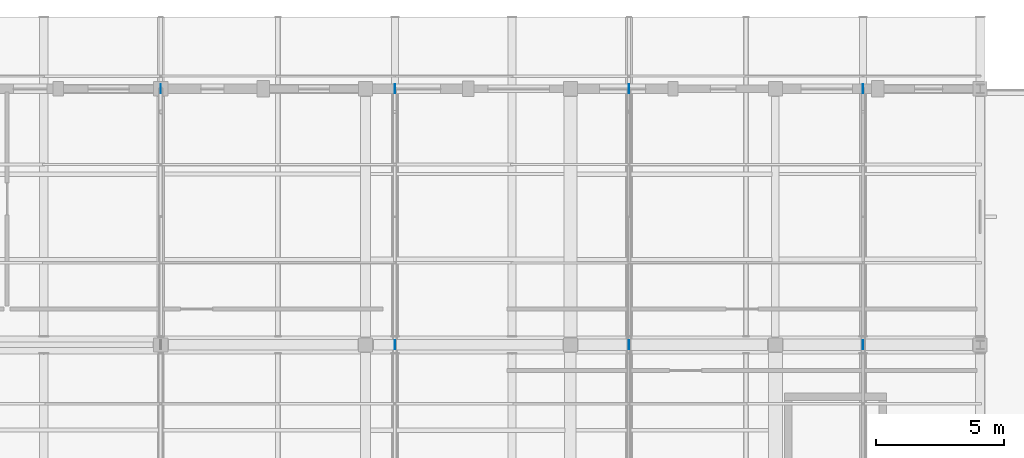
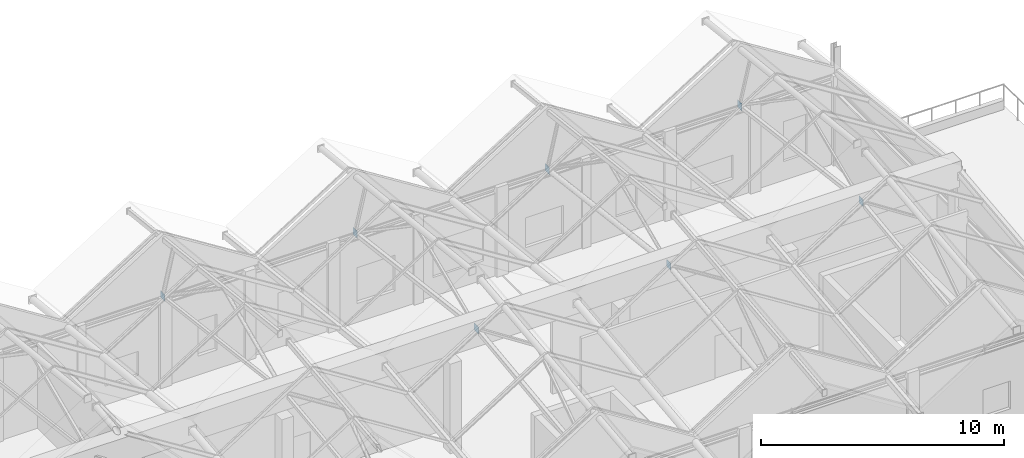
# One storey, part 135 of 183: 7 plates.
"""IFC4 building model written with IfcOpenShell, lengths in metres."""

from ifc_helpers import new_model, si_unit, direction, frame, origin, origin_2d, place, context, subcontext, project, spatial, rectangle, extrude, material, layer, layer_set, type_object, element, save


model = new_model("IFC4")

# Units and contexts
model_context = context("Model", 3, precision=1e-05, world=origin(), true_north=direction((0.0, 1.0)))
body_context = subcontext(model_context, "Body", "Model", "MODEL_VIEW")
ifc_project = project(units=[si_unit("LENGTHUNIT", "METRE"), si_unit("AREAUNIT", "SQUARE_METRE"), si_unit("VOLUMEUNIT", "CUBIC_METRE"), si_unit("PLANEANGLEUNIT", "RADIAN"), si_unit("MASSUNIT", "GRAM", prefix="KILO")], contexts=[model_context])

# Site, building, storey
site_placement = place(None, origin())
site = spatial("IfcSite", under=ifc_project, at=site_placement, CompositionType="ELEMENT")
building_placement = place(site_placement, origin())
building = spatial("IfcBuilding", under=site, at=building_placement, Name="Luwemba Playhouse", CompositionType="ELEMENT")
storey_placement = place(building_placement, frame((0.0, 0.0, 4.800048828125)))
storey = spatial("IfcBuildingStorey", under=building, at=storey_placement, Name="L01", CompositionType="ELEMENT", Elevation=4.800048828125)

# Plates
ifc_material = material(Name="Steel S355", Category="steel")
ifc_layer_1 = layer(ifc_material, 0.01611328125)
ifc_layer_set_1 = layer_set([ifc_layer_1], Name="Steel S355")
plate_type_1 = type_object("IfcPlateType", Name="PLT-GP1", PredefinedType="USERDEFINED", material=ifc_layer_set_1)
for number, where, z_axis, x_axis, name in (
    (1, (36.0, 115.0, 4.22998046875), (0.0, 0.0, 1.0), (1.0, 0.0, 0.0), "Truss node gusset cap plate 0165"),
    (2, (45.142822265625, 115.0, 4.22998046875), (0.0, 0.0, 1.0), (1.0, 0.0, 0.0), "Truss node gusset cap plate 0168"),
    (3, (54.28564453125, 115.0, 4.22998046875), (0.0, 0.0, 1.0), (1.0, 0.0, 0.0), "Truss node gusset cap plate 0171"),
    (4, (63.4287109375, 115.0, 4.22998046875), (0.0, 0.0, 1.0), (1.0, 0.0, 0.0), "Truss node gusset cap plate 0174"),
):
    element("IfcPlate", number, at=place(storey_placement, frame(where, z_axis=z_axis, x_axis=x_axis)), inside=storey, type_object=plate_type_1, Name=name, ObjectType="GUSSET PLATE", PredefinedType="USERDEFINED", context=body_context, shape_type="SweptSolid", body=[
        extrude(rectangle(XDim=0.01611328125, YDim=0.340087890625, at=origin_2d()), origin(), (0.0, 0.0, 1.0), 0.340087890625),
    ])
ifc_layer_2 = layer(ifc_material, 0.02490234375)
ifc_layer_set_2 = layer_set([ifc_layer_2], Name="Steel S355")
plate_type_2 = type_object("IfcPlateType", Name="PLT-GP3", PredefinedType="USERDEFINED", material=ifc_layer_set_2)
for number, where, z_axis, x_axis, name in (
    (5, (45.142822265625, 105.0, 5.4716796875), (0.0, 0.0, 1.0), (1.0, 0.0, 0.0), "Truss node gusset cap plate 0167"),
    (6, (54.28564453125, 105.0, 5.4716796875), (0.0, 0.0, 1.0), (1.0, 0.0, 0.0), "Truss node gusset cap plate 0170"),
    (7, (63.4287109375, 105.0, 5.4716796875), (0.0, 0.0, 1.0), (1.0, 0.0, 0.0), "Truss node gusset cap plate 0173"),
):
    element("IfcPlate", number, at=place(storey_placement, frame(where, z_axis=z_axis, x_axis=x_axis)), inside=storey, type_object=plate_type_2, Name=name, ObjectType="GUSSET PLATE", PredefinedType="USERDEFINED", context=body_context, shape_type="SweptSolid", body=[
        extrude(rectangle(XDim=0.02490234375, YDim=0.340087890625, at=origin_2d()), origin(), (0.0, 0.0, 1.0), 0.340087890625),
    ])

save(model, "model.ifc")
